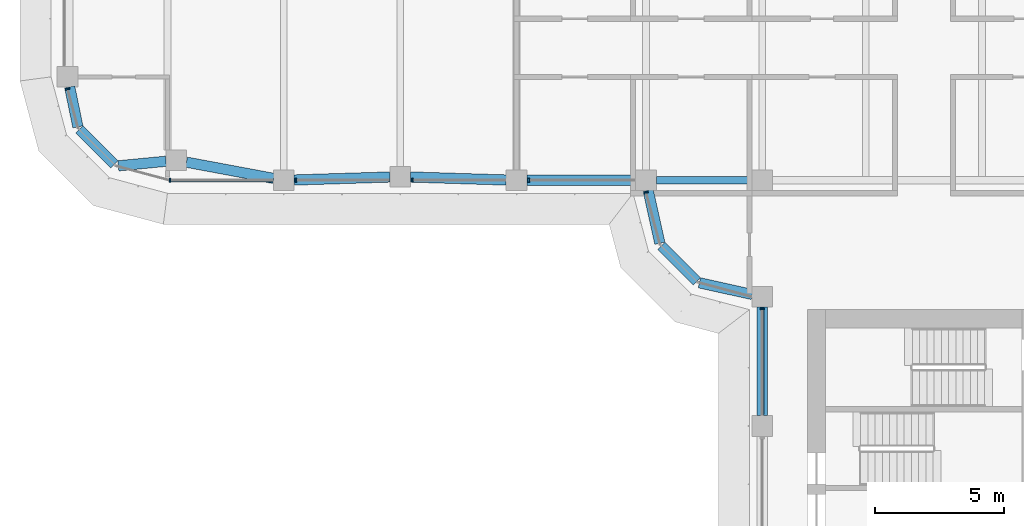
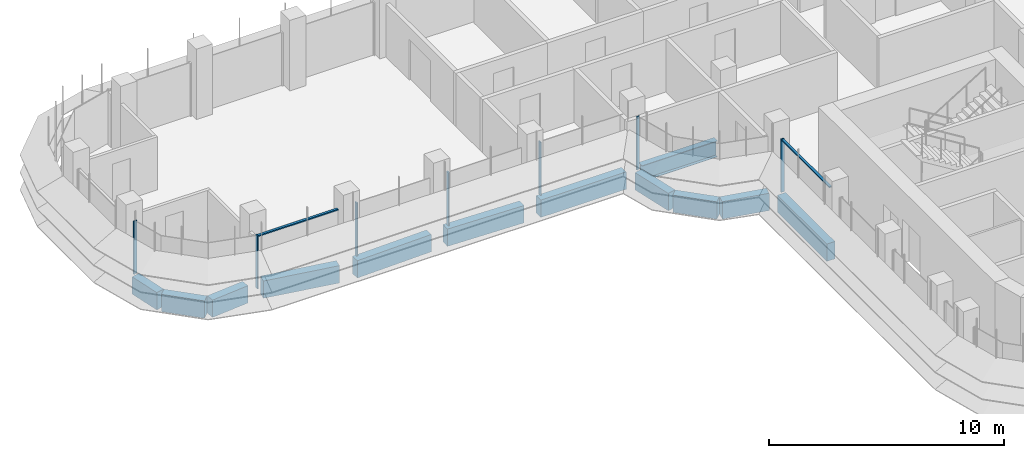
# One storey, part 3 of 19: 12 beams, 9 members, 4 elements without a shape of their own.
"""IFC4 building model written with IfcOpenShell, lengths in metres."""

import ifcopenshell
import ifcopenshell.guid

model = None  # the IFC model being written
_history = None  # IfcOwnerHistory: only IFC2X3 demands one
_inside = {}  # id of a spatial element -> (the spatial element, [elements in it])
_under = {}  # id of a project, library or spatial element -> (it, [spatial elements below it])
_declared = {}  # id of a project -> (the project, [libraries it declares])
_typed = {}  # id of a type object -> (the type object, [elements of that type])
_made_of = {}  # id of a material, layer set ... -> (it, [elements and type objects made of it])


def new_model(schema):
    """Start an empty IFC model of exactly this schema.

    Asked for "IFC4X3", IfcOpenShell would pick the latest addendum, in which some entities
    have other attributes; the version numbers below select the first issue.
    IFC2X3 requires an IfcOwnerHistory on every rooted entity: one is made here for all.
    """
    global model, _history
    if schema == "IFC4X3":
        model = ifcopenshell.file(schema_version=(4, 3, 0, 0))
    else:
        model = ifcopenshell.file(schema=schema)
    _inside.clear()
    _under.clear()
    _declared.clear()
    _typed.clear()
    _made_of.clear()
    _history = None
    if model.schema == "IFC2X3":
        org = make("IfcOrganization", Name="unknown")
        user = make(
            "IfcPersonAndOrganization",
            ThePerson=make("IfcPerson", FamilyName="unknown"),
            TheOrganization=org,
        )
        app = make(
            "IfcApplication",
            ApplicationDeveloper=org,
            Version="unknown",
            ApplicationFullName="unknown",
            ApplicationIdentifier="unknown",
        )
        _history = make(
            "IfcOwnerHistory",
            OwningUser=user,
            OwningApplication=app,
            ChangeAction="ADDED",
            CreationDate=0,
        )
    return model


def make(cls, **values):
    """One entity of the class cls with the attributes given. An attribute that is None is left unset."""
    return model.create_entity(
        cls, **{name: value for name, value in values.items() if value is not None}
    )


def rooted(cls, **values):
    """An entity with a GlobalId (a new one), such as an element, a storey or a relation."""
    return make(cls, GlobalId=ifcopenshell.guid.new(), OwnerHistory=_history, **values)


def si_unit(unit_type, name, prefix=None):
    """IfcSIUnit, for example si_unit("LENGTHUNIT", "METRE", prefix="MILLI")."""
    return make("IfcSIUnit", UnitType=unit_type, Prefix=prefix, Name=name)


def assignment(units):
    """IfcUnitAssignment: the units of a project."""
    return None if units is None else make("IfcUnitAssignment", Units=units)


def point(xyz):
    """IfcCartesianPoint."""
    return None if xyz is None else make("IfcCartesianPoint", Coordinates=xyz)


def direction(xyz):
    """IfcDirection."""
    return None if xyz is None else make("IfcDirection", DirectionRatios=xyz)


def frame(location, z_axis=None, x_axis=None):
    """IfcAxis2Placement3D, a coordinate frame: its origin and axes. An axis left out is left unset."""
    return make(
        "IfcAxis2Placement3D",
        Location=point(location),
        Axis=direction(z_axis),
        RefDirection=direction(x_axis),
    )


def frame_2d(location, x_axis=None):
    """IfcAxis2Placement2D, a coordinate frame in the plane: its origin and x axis."""
    return make(
        "IfcAxis2Placement2D", Location=point(location), RefDirection=direction(x_axis)
    )


def origin():
    """The frame at (0, 0, 0) with its axes left unset."""
    return frame((0.0, 0.0, 0.0))


def origin_2d():
    """The frame at (0, 0) in the plane with its x axis left unset."""
    return frame_2d((0.0, 0.0))


def place(relative_to, where):
    """IfcLocalPlacement: puts the frame where relative to a parent placement (None: the world)."""
    return make(
        "IfcLocalPlacement", PlacementRelTo=relative_to, RelativePlacement=where
    )


def context(
    kind, dimensions, precision=None, world=None, true_north=None, identifier=None
):
    """IfcGeometricRepresentationContext, for example the 3D "Model" context."""
    return make(
        "IfcGeometricRepresentationContext",
        ContextIdentifier=identifier,
        ContextType=kind,
        CoordinateSpaceDimension=dimensions,
        Precision=precision,
        WorldCoordinateSystem=world,
        TrueNorth=true_north,
    )


def subcontext(parent, identifier, kind, view, scale=None):
    """IfcGeometricRepresentationSubContext, for example "Body" below "Model"."""
    return make(
        "IfcGeometricRepresentationSubContext",
        ContextIdentifier=identifier,
        ContextType=kind,
        ParentContext=parent,
        TargetScale=scale,
        TargetView=view,
    )


def project(units=None, contexts=None):
    """IfcProject with its units and contexts."""
    return rooted(
        "IfcProject",
        Name="project",
        RepresentationContexts=contexts,
        UnitsInContext=assignment(units),
    )


def spatial(cls, under=None, at=None, **own):
    """A site, building, storey or space (cls), placed at a placement, below another one or the project."""
    s = rooted(cls, ObjectPlacement=at, **own)
    if under is not None:
        _under.setdefault(under.id(), (under, []))[1].append(s)
    return s


def polyline(points):
    """IfcPolyline through the points."""
    return make("IfcPolyline", Points=[point(p) for p in points])


def profile(cls, at=None, kind="AREA", **sizes):
    """A parametric profile (cls). Its sizes go by their IFC names, for example OverallWidth=200.0."""
    return make(cls, ProfileType=kind, Position=at, **sizes)


def rectangle(**sizes):
    """IfcRectangleProfileDef."""
    return profile("IfcRectangleProfileDef", **sizes)


def i_section(**sizes):
    """IfcIShapeProfileDef."""
    return profile("IfcIShapeProfileDef", **sizes)


def outline(outer, holes=None, kind="AREA"):
    """IfcArbitraryClosedProfileDef: a profile drawn as a closed curve; with holes, ...WithVoids."""
    if holes is None:
        return make("IfcArbitraryClosedProfileDef", ProfileType=kind, OuterCurve=outer)
    return make(
        "IfcArbitraryProfileDefWithVoids",
        ProfileType=kind,
        OuterCurve=outer,
        InnerCurves=holes,
    )


def extrude(swept, where, along, depth):
    """IfcExtrudedAreaSolid: the profile swept, set in the frame where, extruded along a direction by depth."""
    return make(
        "IfcExtrudedAreaSolid",
        SweptArea=swept,
        Position=where,
        ExtrudedDirection=direction(along),
        Depth=depth,
    )


def shape(context_of_items, identifier, shape_type, items):
    """IfcShapeRepresentation: the items that make up one representation, for example the "Body"."""
    return make(
        "IfcShapeRepresentation",
        ContextOfItems=context_of_items,
        RepresentationIdentifier=identifier,
        RepresentationType=shape_type,
        Items=items,
    )


def source(mapping_origin, context_of_items, identifier, shape_type, items):
    """IfcRepresentationMap: a shape defined once, which mapped items show again and again."""
    return make(
        "IfcRepresentationMap",
        MappingOrigin=mapping_origin,
        MappedRepresentation=shape(context_of_items, identifier, shape_type, items),
    )


def transform(
    local_origin,
    x_axis=None,
    y_axis=None,
    z_axis=None,
    scale=None,
    scale2=None,
    scale3=None,
    uniform=True,
):
    """IfcCartesianTransformationOperator3D, or its non-uniform kind. x_axis, y_axis, z_axis: its Axis1, 2, 3."""
    if uniform:
        return make(
            "IfcCartesianTransformationOperator3D",
            Axis1=direction(x_axis),
            Axis2=direction(y_axis),
            LocalOrigin=point(local_origin),
            Scale=scale,
            Axis3=direction(z_axis),
        )
    return make(
        "IfcCartesianTransformationOperator3DnonUniform",
        Axis1=direction(x_axis),
        Axis2=direction(y_axis),
        LocalOrigin=point(local_origin),
        Scale=scale,
        Axis3=direction(z_axis),
        Scale2=scale2,
        Scale3=scale3,
    )


def mapped(mapping_source, mapping_target):
    """IfcMappedItem: shows the shape of a source again, moved by a transform."""
    return make(
        "IfcMappedItem", MappingSource=mapping_source, MappingTarget=mapping_target
    )


def material(Name=None, Category=None):
    """IfcMaterial."""
    return make("IfcMaterial", Name=Name, Category=Category)


def material_profile(
    of_material, cross_section, Name=None, Category=None, Priority=None
):
    """IfcMaterialProfile: a cross section and its material."""
    return make(
        "IfcMaterialProfile",
        Name=Name,
        Material=of_material,
        Profile=cross_section,
        Priority=Priority,
        Category=Category,
    )


def profile_set(profiles, Name=None, composite=None):
    """IfcMaterialProfileSet."""
    return make(
        "IfcMaterialProfileSet",
        Name=Name,
        MaterialProfiles=profiles,
        CompositeProfile=composite,
    )


def made_of(thing, what):
    """Note that an element or type object is made of a material, layer set ...; save() writes the relation."""
    if what is not None:
        _made_of.setdefault(what.id(), (what, []))[1].append(thing)
    return thing


def type_object(cls, material=None, **own):
    """A type object (cls), such as IfcWallType, which elements share."""
    return made_of(rooted(cls, **own), material)


def element(
    cls,
    number,
    at=None,
    inside=None,
    cuts=None,
    type_object=None,
    material=None,
    context=None,
    identifier="Body",
    shape_type=None,
    held_by="IfcProductDefinitionShape",
    body=None,
    shapes=None,
    **own,
):
    """One element of the class cls, such as IfcWall. Its Tag is "e" and its number.

    at: its placement. inside: the storey or other place that contains it. cuts: it is an
    opening in that element (IfcRelVoidsElement). A single representation is given by context,
    identifier, shape_type and body (its items); several are given by shapes. held_by: the class
    of the entity that holds the representations. save() writes the other relations.
    """
    e = rooted(cls, Tag="e%d" % number, ObjectPlacement=at, **own)
    if body is not None:
        shapes = [shape(context, identifier, shape_type, body)]
    if shapes is not None:
        e.Representation = make(held_by, Representations=shapes)
    if inside is not None:
        _inside.setdefault(inside.id(), (inside, []))[1].append(e)
    if cuts is not None:
        rooted(
            "IfcRelVoidsElement", RelatingBuildingElement=cuts, RelatedOpeningElement=e
        )
    if type_object is not None:
        _typed.setdefault(type_object.id(), (type_object, []))[1].append(e)
    return made_of(e, material)


def aggregate(whole, parts):
    """IfcRelAggregates: a whole, such as a stair, and the parts it consists of."""
    return rooted("IfcRelAggregates", RelatingObject=whole, RelatedObjects=parts)


def save(model, path):
    """Write the relations noted so far, then the file.

    IfcRelAggregates (storeys below a building ...), IfcRelContainedInSpatialStructure (elements
    in a storey), IfcRelDefinesByType, IfcRelAssociatesMaterial and IfcRelDeclares: one each for
    every whole, place, type object, material and project.
    """
    for whole, parts in _under.values():
        aggregate(whole, parts)
    for where, things in _inside.values():
        rooted(
            "IfcRelContainedInSpatialStructure",
            RelatedElements=things,
            RelatingStructure=where,
        )
    for kind, things in _typed.values():
        rooted("IfcRelDefinesByType", RelatedObjects=things, RelatingType=kind)
    for what, things in _made_of.values():
        rooted("IfcRelAssociatesMaterial", RelatedObjects=things, RelatingMaterial=what)
    for by, libraries in _declared.values():
        rooted("IfcRelDeclares", RelatingContext=by, RelatedDefinitions=libraries)
    model.write(path)


model = new_model("IFC4")

# Units and contexts
model_context = context("Model", 3, precision=1e-05, world=origin(), true_north=direction((0.0, 1.0)))
body_context = subcontext(model_context, "Body", "Model", "MODEL_VIEW")
ifc_project = project(units=[si_unit("LENGTHUNIT", "METRE"), si_unit("AREAUNIT", "SQUARE_METRE"), si_unit("VOLUMEUNIT", "CUBIC_METRE"), si_unit("PLANEANGLEUNIT", "RADIAN"), si_unit("MASSUNIT", "GRAM", prefix="KILO")], contexts=[model_context])

# Site, building, storey
site_placement = place(None, origin())
site = spatial("IfcSite", under=ifc_project, at=site_placement, CompositionType="ELEMENT")
building_placement = place(site_placement, origin())
building = spatial("IfcBuilding", under=site, at=building_placement, Name="Zarbagh Exchange Tower", CompositionType="ELEMENT")
storey_placement = place(building_placement, frame((0.0, 0.0, 160.0)))
storey = spatial("IfcBuildingStorey", under=building, at=storey_placement, Name="L38", CompositionType="ELEMENT", Elevation=160.0)

# Beams
ifc_material_1 = material(Name="Steel ASTM A992 Gr 50", Category="steel")
ifc_material_profile_1 = material_profile(ifc_material_1, i_section(OverallWidth=0.2919921875, OverallDepth=0.835693359375, WebThickness=0.013916015625, FlangeThickness=0.018798828125, at=origin_2d()), Name="W33X118")
ifc_profile_set_1 = profile_set([ifc_material_profile_1], Name="Steel ASTM A992 Gr 50")
beam_type_1 = type_object("IfcBeamType", Name="Floor girder W33X118", PredefinedType="BEAM", material=ifc_profile_set_1)
beam_1_placement = place(storey_placement, frame((-10.35009765625, -6.25, -0.56787109375), z_axis=(1.0, 0.0, 0.0), x_axis=(0.0, 1.0, 0.0)))
element("IfcBeam", 1, at=beam_1_placement, inside=storey, type_object=beam_type_1, Name="Steel girder", PredefinedType="BEAM", context=body_context, shape_type="SweptSolid", body=[
    extrude(i_section(OverallWidth=0.2919921875, OverallDepth=0.835693359375, WebThickness=0.013916015625, FlangeThickness=0.018798828125, at=origin_2d()), origin(), (0.0, 0.0, 1.0), 3.7001953125),
])
ifc_material_2 = material(Name="Concrete C50/60", Category="concrete")
ifc_material_profile_2 = material_profile(ifc_material_2, rectangle(XDim=0.39990234375, YDim=0.89990234375, at=origin_2d()), Name="RC spandrel beam 400 x 900 C50/60")
ifc_profile_set_2 = profile_set([ifc_material_profile_2], Name="Concrete C50/60")
beam_type_2 = type_object("IfcBeamType", Name="RC spandrel beam 400 x 900 C50/60", PredefinedType="SPANDREL", material=ifc_profile_set_2)
beam_2_placement = place(storey_placement, frame((-6.25, -15.35009765625, -0.60009765625), z_axis=(0.0, 1.0, 0.0), x_axis=(-1.0, 0.0, 0.0)))
element("IfcBeam", 2, at=beam_2_placement, inside=storey, type_object=beam_type_2, Name="RC spandrel beam", PredefinedType="SPANDREL", context=body_context, shape_type="SweptSolid", body=[
    extrude(rectangle(XDim=0.39990234375, YDim=0.89990234375, at=origin_2d()), origin(), (0.0, 0.0, 1.0), 4.2001953125),
])
beam_3_placement = place(storey_placement, frame((-6.640625, -10.66357421875, -0.60009765625), z_axis=(-0.976384278741, 0.216041061437, 0.0), x_axis=(-0.216041061437, -0.976384278741, 0.0)))
element("IfcBeam", 3, at=beam_3_placement, inside=storey, type_object=beam_type_2, Name="RC spandrel beam", PredefinedType="SPANDREL", context=body_context, shape_type="SweptSolid", body=[
    extrude(rectangle(XDim=0.39990234375, YDim=0.89990234375, at=origin_2d()), origin(), (0.0, 0.0, 1.0), 2.0927734375),
])
beam_4_placement = place(storey_placement, frame((-8.782470703125, -10.15771484375, -0.60009765625), z_axis=(-0.707106781187, 0.707106781187, 0.0), x_axis=(-0.707106781187, -0.707106781187, 0.0)))
element("IfcBeam", 4, at=beam_4_placement, inside=storey, type_object=beam_type_2, Name="RC spandrel beam", PredefinedType="SPANDREL", context=body_context, shape_type="SweptSolid", body=[
    extrude(rectangle(XDim=0.39990234375, YDim=0.89990234375, at=origin_2d()), origin(), (0.0, 0.0, 1.0), 1.94482421875),
])
beam_5_placement = place(storey_placement, frame((-10.21142578125, -8.68408203125, -0.60009765625), z_axis=(-0.216041061437, 0.976384278741, 0.0), x_axis=(-0.976384278741, -0.216041061437, 0.0)))
element("IfcBeam", 5, at=beam_5_placement, inside=storey, type_object=beam_type_2, Name="RC spandrel beam", PredefinedType="SPANDREL", context=body_context, shape_type="SweptSolid", body=[
    extrude(rectangle(XDim=0.39990234375, YDim=0.89990234375, at=origin_2d()), origin(), (0.0, 0.0, 1.0), 2.0927734375),
])
beam_6_placement = place(storey_placement, frame((-11.14990234375, -6.25, -0.60009765625), z_axis=(-1.0, 0.0, 0.0), x_axis=(0.0, -1.0, 0.0)))
element("IfcBeam", 6, at=beam_6_placement, inside=storey, type_object=beam_type_2, Name="RC spandrel beam", PredefinedType="SPANDREL", context=body_context, shape_type="SweptSolid", body=[
    extrude(rectangle(XDim=0.39990234375, YDim=0.89990234375, at=origin_2d()), origin(), (0.0, 0.0, 1.0), 4.2001953125),
])
for number, where, z_axis, x_axis, name in (
    (7, (-16.14990234375, -6.237548828125, -0.60009765625), (-0.999515416033, 0.031127690444, 0.0), (-0.031127690444, -0.999515416033, 0.0), "RC spandrel beam"),
    (8, (-20.64990234375, -6.122314453125, -0.60009765625), (-0.999515416033, -0.031127690444, 0.0), (0.031127690444, -0.999515416033, 0.0), "RC spandrel beam"),
):
    element("IfcBeam", number, at=place(storey_placement, frame(where, z_axis=z_axis, x_axis=x_axis)), inside=storey, type_object=beam_type_2, Name=name, PredefinedType="SPANDREL", context=body_context, shape_type="SweptSolid", body=[
        extrude(rectangle(XDim=0.39990234375, YDim=0.89990234375, at=origin_2d()), origin(), (0.0, 0.0, 1.0), 3.701904296875),
    ])
beam_7_placement = place(storey_placement, frame((-25.143310546875, -6.1767578125, -0.60009765625), z_axis=(-0.983069862768, 0.183231124313, 0.0), x_axis=(-0.183231124313, -0.983069862768, 0.0)))
element("IfcBeam", 9, at=beam_7_placement, inside=storey, type_object=beam_type_2, Name="RC spandrel beam", PredefinedType="SPANDREL", context=body_context, shape_type="SweptSolid", body=[
    extrude(rectangle(XDim=0.39990234375, YDim=0.89990234375, at=origin_2d()), origin(), (0.0, 0.0, 1.0), 3.4296875),
])
beam_8_placement = place(storey_placement, frame((-29.30615234375, -5.51318359375, -0.60009765625), z_axis=(-0.995435353267, -0.095438239015, 0.0), x_axis=(0.095438239015, -0.995435353267, 0.0)))
element("IfcBeam", 10, at=beam_8_placement, inside=storey, type_object=beam_type_2, Name="RC spandrel beam", PredefinedType="SPANDREL", context=body_context, shape_type="SweptSolid", body=[
    extrude(rectangle(XDim=0.39990234375, YDim=0.89990234375, at=origin_2d()), origin(), (0.0, 0.0, 1.0), 1.849609375),
])
beam_9_placement = place(storey_placement, frame((-31.307861328125, -5.632080078125, -0.60009765625), z_axis=(-0.707106781187, 0.707106781187, 0.0), x_axis=(-0.707106781187, -0.707106781187, 0.0)))
element("IfcBeam", 11, at=beam_9_placement, inside=storey, type_object=beam_type_2, Name="RC spandrel beam", PredefinedType="SPANDREL", context=body_context, shape_type="SweptSolid", body=[
    extrude(rectangle(XDim=0.39990234375, YDim=0.89990234375, at=origin_2d()), origin(), (0.0, 0.0, 1.0), 1.9072265625),
])
beam_10_placement = place(storey_placement, frame((-32.7109375, -4.1826171875, -0.60009765625), z_axis=(-0.20216948151, 0.979350550491, 0.0), x_axis=(-0.979350550491, -0.20216948151, 0.0)))
element("IfcBeam", 12, at=beam_10_placement, inside=storey, type_object=beam_type_2, Name="RC spandrel beam", PredefinedType="SPANDREL", context=body_context, shape_type="SweptSolid", body=[
    extrude(rectangle(XDim=0.39990234375, YDim=0.89990234375, at=origin_2d()), origin(), (0.0, 0.0, 1.0), 1.573486328125),
])

# Curtain wall, member
ifc_material_3 = material(Name="Anodised aluminium frame and glazing", Category="aluminium")
curtain_wall_type = type_object("IfcCurtainWallType", Name="CWB Ribbon glazing, upper zones", PredefinedType="NOTDEFINED", material=ifc_material_3)
curtain_wall_1_placement = place(storey_placement, origin())
curtain_wall_1 = element("IfcCurtainWall", 13, at=curtain_wall_1_placement, inside=storey, type_object=curtain_wall_type, Name="CWB37 curtain wall", PredefinedType="NOTDEFINED")
ifc_material_4 = material(Name="Anodised aluminium frame", Category="aluminium")
member_type_1 = type_object("IfcMemberType", Name="MUB Mullion, anodised aluminium frame", PredefinedType="MULLION", material=ifc_material_4)
shared_shape_1 = source(origin(), body_context, "Body", "SweptSolid", [
    extrude(outline(polyline([(0.0, -0.080078125), (0.06005859375, -0.080078125), (0.06005859375, 0.080078125), (0.0, 0.080078125), (0.0, -0.080078125)])), origin(), (0.0, 0.0, 1.0), 2.75),
])
placement = place(storey_placement, origin())
member_1 = element("IfcMember", 14, at=placement, type_object=member_type_1, Name="CWB37 mullion 1.1", PredefinedType="MULLION", context=body_context, shape_type="MappedRepresentation", body=[
    mapped(shared_shape_1, transform((-33.114501953125, -2.68994140625, 0.0), x_axis=(0.258824779902, -0.965924289636, 0.0), y_axis=(0.965924289636, 0.258824779902, 0.0), z_axis=(0.0, 0.0, 1.0))),
])
aggregate(curtain_wall_1, [member_1])

# Curtain wall, members
curtain_wall_2_placement = place(storey_placement, origin())
curtain_wall_2 = element("IfcCurtainWall", 15, at=curtain_wall_2_placement, inside=storey, type_object=curtain_wall_type, Name="CWB40 curtain wall", PredefinedType="NOTDEFINED")
member_2 = element("IfcMember", 16, at=placement, type_object=member_type_1, Name="CWB40 mullion 1.1", PredefinedType="MULLION", context=body_context, shape_type="MappedRepresentation", body=[
    mapped(shared_shape_1, transform((-29.18408203125, -6.25, 0.0), x_axis=(1.0, 0.0, 0.0), y_axis=(0.0, 1.0, 0.0), z_axis=(0.0, 0.0, 1.0))),
])
member_3 = element("IfcMember", 17, at=placement, type_object=member_type_1, Name="CWB40 mullion 2.1", PredefinedType="MULLION", context=body_context, shape_type="MappedRepresentation", body=[
    mapped(shared_shape_1, transform((-24.31005859375, -6.25, 0.0), x_axis=(1.0, 0.0, 0.0), y_axis=(0.0, 1.0, 0.0), z_axis=(0.0, 0.0, 1.0))),
])
member_4 = element("IfcMember", 18, at=placement, type_object=member_type_1, Name="CWB40 mullion 3.1", PredefinedType="MULLION", context=body_context, shape_type="MappedRepresentation", body=[
    mapped(shared_shape_1, transform((-19.81005859375, -6.25, 0.0), x_axis=(1.0, 0.0, 0.0), y_axis=(0.0, 1.0, 0.0), z_axis=(0.0, 0.0, 1.0))),
])
member_5 = element("IfcMember", 19, at=placement, type_object=member_type_1, Name="CWB40 mullion 4.1", PredefinedType="MULLION", context=body_context, shape_type="MappedRepresentation", body=[
    mapped(shared_shape_1, transform((-15.31005859375, -6.25, 0.0), x_axis=(1.0, 0.0, 0.0), y_axis=(0.0, 1.0, 0.0), z_axis=(0.0, 0.0, 1.0))),
])

# Curtain wall, member
curtain_wall_3_placement = place(storey_placement, origin())
curtain_wall_3 = element("IfcCurtainWall", 20, at=curtain_wall_3_placement, inside=storey, type_object=curtain_wall_type, Name="CWB41 curtain wall", PredefinedType="NOTDEFINED")
member_6 = element("IfcMember", 21, at=placement, type_object=member_type_1, Name="CWB41 mullion 1.1", PredefinedType="MULLION", context=body_context, shape_type="MappedRepresentation", body=[
    mapped(shared_shape_1, transform((-10.74853515625, -6.68994140625, 0.0), x_axis=(0.258824779902, -0.965924289636, 0.0), y_axis=(0.965924289636, 0.258824779902, 0.0), z_axis=(0.0, 0.0, 1.0))),
])
aggregate(curtain_wall_3, [member_6])

# Curtain wall, members
curtain_wall_4_placement = place(storey_placement, origin())
curtain_wall_4 = element("IfcCurtainWall", 22, at=curtain_wall_4_placement, inside=storey, type_object=curtain_wall_type, Name="CWB53 curtain wall", PredefinedType="NOTDEFINED")
member_7 = element("IfcMember", 23, at=placement, type_object=member_type_1, Name="CWB53 mullion 1.1", PredefinedType="MULLION", context=body_context, shape_type="MappedRepresentation", body=[
    mapped(shared_shape_1, transform((-6.25, -11.18994140625, 0.0), x_axis=(0.0, -1.0, 0.0), y_axis=(1.0, 0.0, 0.0), z_axis=(0.0, 0.0, 1.0))),
])
member_type_2 = type_object("IfcMemberType", Name="TRB Transom, anodised aluminium frame", PredefinedType="USERDEFINED", material=ifc_material_4)
shared_shape_2 = source(origin(), body_context, "Body", "SweptSolid", [
    extrude(outline(polyline([(-0.06005859375, -0.06005859375), (0.0, -0.06005859375), (0.0, 0.06005859375), (-0.06005859375, 0.06005859375), (-0.06005859375, -0.06005859375)])), origin(), (0.0, 0.0, 1.0), 4.06005859375),
])
member_8 = element("IfcMember", 24, at=placement, type_object=member_type_2, Name="CWB53 transom 1.1", ObjectType="TRANSOM", PredefinedType="USERDEFINED", context=body_context, shape_type="MappedRepresentation", body=[
    mapped(shared_shape_2, transform((-6.25, -11.25, 2.75), x_axis=(0.0, 0.0, 1.0), y_axis=(-1.0, 0.0, 0.0), z_axis=(0.0, -1.0, 0.0))),
])
aggregate(curtain_wall_4, [member_7, member_8])

# Member
shared_shape_3 = source(origin(), body_context, "Body", "SweptSolid", [
    extrude(outline(polyline([(-0.06005859375, -0.06005859375), (0.0, -0.06005859375), (0.0, 0.06005859375), (-0.06005859375, 0.06005859375), (-0.06005859375, -0.06005859375)])), origin(), (0.0, 0.0, 1.0), 3.93408203125),
])
member_9 = element("IfcMember", 25, at=placement, type_object=member_type_2, Name="CWB40 transom 1.1", ObjectType="TRANSOM", PredefinedType="USERDEFINED", context=body_context, shape_type="MappedRepresentation", body=[
    mapped(shared_shape_3, transform((-29.124267578125, -6.25, 2.75), x_axis=(0.0, 0.0, 1.0), y_axis=(0.0, -1.0, 0.0), z_axis=(1.0, 0.0, 0.0))),
])

aggregate(curtain_wall_2, [member_2, member_9, member_3, member_4, member_5])

save(model, "model.ifc")
